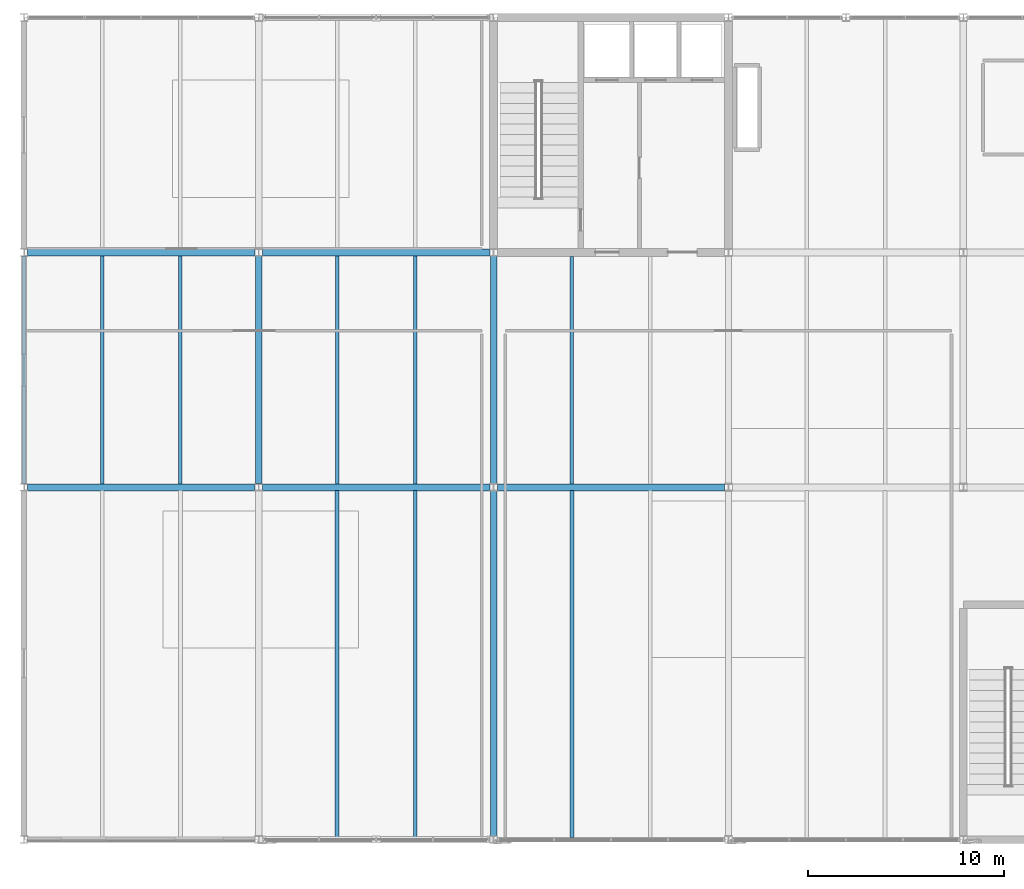
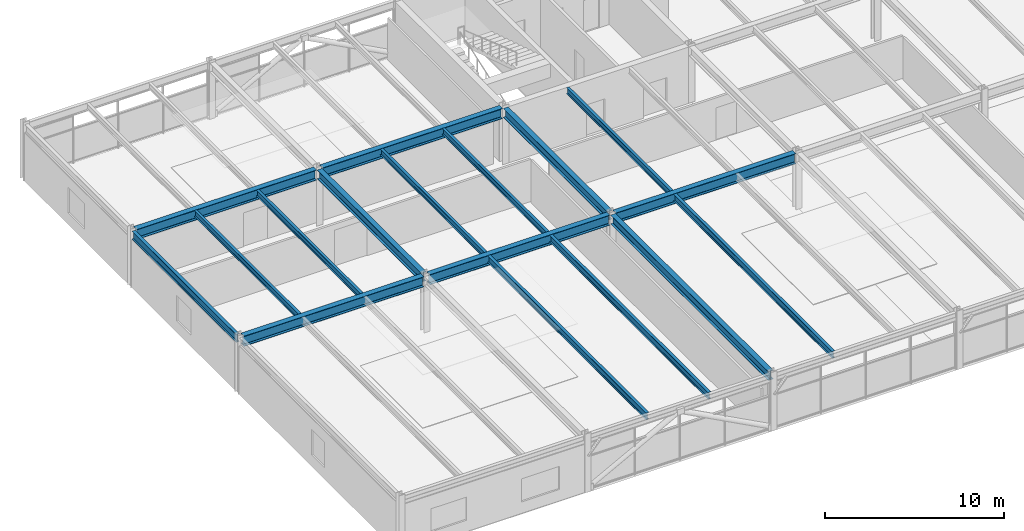
# One storey, part 12 of 49: 17 beams.
"""IFC4 building model written with IfcOpenShell, lengths in metres."""

from ifc_helpers import new_model, si_unit, direction, frame, origin, origin_2d, place, context, subcontext, project, spatial, i_section, extrude, material, material_profile, profile_set, type_object, element, save


model = new_model("IFC4")

# Units and contexts
model_context = context("Model", 3, precision=1e-05, world=origin(), true_north=direction((0.0, 1.0)))
body_context = subcontext(model_context, "Body", "Model", "MODEL_VIEW")
ifc_project = project(units=[si_unit("LENGTHUNIT", "METRE"), si_unit("AREAUNIT", "SQUARE_METRE"), si_unit("VOLUMEUNIT", "CUBIC_METRE"), si_unit("PLANEANGLEUNIT", "RADIAN"), si_unit("MASSUNIT", "GRAM", prefix="KILO")], contexts=[model_context])

# Site, building, storey
site_placement = place(None, origin())
site = spatial("IfcSite", under=ifc_project, at=site_placement, CompositionType="ELEMENT")
building_placement = place(site_placement, origin())
building = spatial("IfcBuilding", under=site, at=building_placement, Name="Girod Span Mobility Hub", CompositionType="ELEMENT")
storey_placement = place(building_placement, frame((0.0, 0.0, 37.60009765625)))
storey = spatial("IfcBuildingStorey", under=building, at=storey_placement, Name="L09", CompositionType="ELEMENT", Elevation=37.60009765625)

# Beams
ifc_material_1 = material(Name="Steel A992 Grade 50", Category="steel")
ifc_material_profile_1 = material_profile(ifc_material_1, i_section(OverallWidth=0.178955078125, OverallDepth=0.409912109375, WebThickness=0.0087890625, FlangeThickness=0.014404296875, FilletRadius=0.012939453125, at=origin_2d()), Name="W16X45")
ifc_profile_set_1 = profile_set([ifc_material_profile_1], Name="Steel A992 Grade 50")
beam_type_1 = type_object("IfcBeamType", Name="BM-STL-W16X45", PredefinedType="BEAM", material=ifc_profile_set_1)
for number, where, z_axis, x_axis, name in (
    (1, (28.0, 45.174560546875, 3.6298828125), (0.0, 1.0, 0.0), (-1.0, 0.0, 0.0), "Composite Floorbeam 3/D-1 L09"),
    (2, (32.0, 45.174560546875, 3.6298828125), (0.0, 1.0, 0.0), (-1.0, 0.0, 0.0), "Composite Floorbeam 3/D-2 L09"),
    (3, (40.0, 45.174560546875, 3.6298828125), (0.0, 1.0, 0.0), (-1.0, 0.0, 0.0), "Composite Floorbeam 4/D-1 L09"),
    (4, (44.0, 45.174560546875, 3.6298828125), (0.0, 1.0, 0.0), (-1.0, 0.0, 0.0), "Composite Floorbeam 4/D-2 L09"),
):
    element("IfcBeam", number, at=place(storey_placement, frame(where, z_axis=z_axis, x_axis=x_axis)), inside=storey, type_object=beam_type_1, Name=name, PredefinedType="BEAM", context=body_context, shape_type="SweptSolid", body=[
        extrude(i_section(OverallWidth=0.178955078125, OverallDepth=0.409912109375, WebThickness=0.0087890625, FlangeThickness=0.014404296875, FilletRadius=0.012939453125, at=origin_2d()), origin(), (0.0, 0.0, 1.0), 11.65087890625),
    ])
beam_1_placement = place(storey_placement, frame((52.0, 45.174560546875, 3.6298828125), z_axis=(0.0, 1.0, 0.0), x_axis=(-1.0, 0.0, 0.0)))
element("IfcBeam", 5, at=beam_1_placement, inside=storey, type_object=beam_type_1, Name="Composite Floorbeam 5/D-1 L09", PredefinedType="BEAM", context=body_context, shape_type="SweptSolid", body=[
    extrude(i_section(OverallWidth=0.178955078125, OverallDepth=0.409912109375, WebThickness=0.0087890625, FlangeThickness=0.014404296875, FilletRadius=0.012939453125, at=origin_2d()), origin(), (0.0, 0.0, 1.0), 11.62841796875),
])
ifc_material_2 = material(Name="Steel A992 Grade 50", Category="steel")
ifc_material_profile_2 = material_profile(ifc_material_2, i_section(OverallWidth=0.19189453125, OverallDepth=0.462890625, WebThickness=0.010498046875, FlangeThickness=0.017578125, FilletRadius=0.013916015625, at=origin_2d()), Name="W18X60")
ifc_profile_set_2 = profile_set([ifc_material_profile_2], Name="Steel A992 Grade 50")
beam_type_2 = type_object("IfcBeamType", Name="BM-STL-W18X60", PredefinedType="BEAM", material=ifc_profile_set_2)
for number, where, z_axis, x_axis, name in (
    (6, (40.0, 27.10302734375, 3.603515625), (0.0, 1.0, 0.0), (-1.0, 0.0, 0.0), "Composite Floorbeam 4/C-1 L09"),
    (7, (44.0, 27.10302734375, 3.603515625), (0.0, 1.0, 0.0), (-1.0, 0.0, 0.0), "Composite Floorbeam 4/C-2 L09"),
    (8, (52.0, 27.10302734375, 3.603515625), (0.0, 1.0, 0.0), (-1.0, 0.0, 0.0), "Composite Floorbeam 5/C-1 L09"),
):
    element("IfcBeam", number, at=place(storey_placement, frame(where, z_axis=z_axis, x_axis=x_axis)), inside=storey, type_object=beam_type_2, Name=name, PredefinedType="BEAM", context=body_context, shape_type="SweptSolid", body=[
        extrude(i_section(OverallWidth=0.19189453125, OverallDepth=0.462890625, WebThickness=0.010498046875, FlangeThickness=0.017578125, FilletRadius=0.013916015625, at=origin_2d()), origin(), (0.0, 0.0, 1.0), 17.722412109375),
    ])
ifc_material_3 = material(Name="Steel A992 Grade 50", Category="steel")
ifc_material_profile_3 = material_profile(ifc_material_3, i_section(OverallWidth=0.2119140625, OverallDepth=0.5439453125, WebThickness=0.01318359375, FlangeThickness=0.021240234375, FilletRadius=0.014892578125, at=origin_2d()), Name="W21X83")
ifc_profile_set_3 = profile_set([ifc_material_profile_3], Name="Steel A992 Grade 50")
beam_type_3 = type_object("IfcBeamType", Name="BM-STL-W21X83", PredefinedType="SPANDREL", material=ifc_profile_set_3)
beam_2_placement = place(storey_placement, frame((24.0, 45.1845703125, 3.56298828125), z_axis=(0.0, 1.0, 0.0), x_axis=(-1.0, 0.0, 0.0)))
element("IfcBeam", 9, at=beam_2_placement, inside=storey, type_object=beam_type_3, Name="Tie Girder 3/D-E L09", PredefinedType="SPANDREL", context=body_context, shape_type="SweptSolid", body=[
    extrude(i_section(OverallWidth=0.2119140625, OverallDepth=0.5439453125, WebThickness=0.01318359375, FlangeThickness=0.021240234375, FilletRadius=0.014892578125, at=origin_2d()), origin(), (0.0, 0.0, 1.0), 11.630859375),
])
ifc_material_4 = material(Name="Steel A992 Grade 50", Category="steel")
ifc_material_profile_4 = material_profile(ifc_material_4, i_section(OverallWidth=0.323974609375, OverallDepth=0.611083984375, WebThickness=0.0126953125, FlangeThickness=0.01904296875, FilletRadius=0.014892578125, at=origin_2d()), Name="W24X104")
ifc_profile_set_4 = profile_set([ifc_material_profile_4], Name="Steel A992 Grade 50")
beam_type_4 = type_object("IfcBeamType", Name="BM-STL-W24X104", PredefinedType="BEAM", material=ifc_profile_set_4)
beam_3_placement = place(storey_placement, frame((36.0, 45.1845703125, 3.529296875), z_axis=(0.0, 1.0, 0.0), x_axis=(-1.0, 0.0, 0.0)))
element("IfcBeam", 10, at=beam_3_placement, inside=storey, type_object=beam_type_4, Name="Tie Girder 4/D-E L09", PredefinedType="BEAM", context=body_context, shape_type="SweptSolid", body=[
    extrude(i_section(OverallWidth=0.323974609375, OverallDepth=0.611083984375, WebThickness=0.0126953125, FlangeThickness=0.01904296875, FilletRadius=0.014892578125, at=origin_2d()), origin(), (0.0, 0.0, 1.0), 11.630859375),
])
beam_4_placement = place(storey_placement, frame((48.0, 27.1845703125, 3.529296875), z_axis=(0.0, 1.0, 0.0), x_axis=(-1.0, 0.0, 0.0)))
element("IfcBeam", 11, at=beam_4_placement, inside=storey, type_object=beam_type_4, Name="Tie Girder 5/C-D L09", PredefinedType="BEAM", context=body_context, shape_type="SweptSolid", body=[
    extrude(i_section(OverallWidth=0.323974609375, OverallDepth=0.611083984375, WebThickness=0.0126953125, FlangeThickness=0.01904296875, FilletRadius=0.014892578125, at=origin_2d()), origin(), (0.0, 0.0, 1.0), 17.621826171875),
])
beam_5_placement = place(storey_placement, frame((48.0, 45.193603515625, 3.529296875), z_axis=(0.0, 1.0, 0.0), x_axis=(-1.0, 0.0, 0.0)))
element("IfcBeam", 12, at=beam_5_placement, inside=storey, type_object=beam_type_4, Name="Tie Girder 5/D-E L09", PredefinedType="BEAM", context=body_context, shape_type="SweptSolid", body=[
    extrude(i_section(OverallWidth=0.323974609375, OverallDepth=0.611083984375, WebThickness=0.0126953125, FlangeThickness=0.01904296875, FilletRadius=0.014892578125, at=origin_2d()), origin(), (0.0, 0.0, 1.0), 11.61279296875),
])
ifc_material_5 = material(Name="Steel A992 Grade 50", Category="steel")
ifc_material_profile_5 = material_profile(ifc_material_5, i_section(OverallWidth=0.35498046875, OverallDepth=0.695068359375, WebThickness=0.015380859375, FlangeThickness=0.02490234375, FilletRadius=0.01806640625, at=origin_2d()), Name="W27X146")
ifc_profile_set_5 = profile_set([ifc_material_profile_5], Name="Steel A992 Grade 50")
beam_type_5 = type_object("IfcBeamType", Name="BM-STL-W27X146", PredefinedType="BEAM", material=ifc_profile_set_5)
beam_6_placement = place(storey_placement, frame((24.194091796875, 45.0, 3.4873046875), z_axis=(1.0, 0.0, 0.0), x_axis=(0.0, 1.0, 0.0)))
element("IfcBeam", 13, at=beam_6_placement, inside=storey, type_object=beam_type_5, Name="Girder 3-4/D L09", PredefinedType="BEAM", context=body_context, shape_type="SweptSolid", body=[
    extrude(i_section(OverallWidth=0.35498046875, OverallDepth=0.695068359375, WebThickness=0.015380859375, FlangeThickness=0.02490234375, FilletRadius=0.01806640625, at=origin_2d()), origin(), (0.0, 0.0, 1.0), 11.61181640625),
])
beam_7_placement = place(storey_placement, frame((36.194091796875, 45.0, 3.4873046875), z_axis=(1.0, 0.0, 0.0), x_axis=(0.0, 1.0, 0.0)))
element("IfcBeam", 14, at=beam_7_placement, inside=storey, type_object=beam_type_5, Name="Girder 4-5/D L09", PredefinedType="BEAM", context=body_context, shape_type="SweptSolid", body=[
    extrude(i_section(OverallWidth=0.35498046875, OverallDepth=0.695068359375, WebThickness=0.015380859375, FlangeThickness=0.02490234375, FilletRadius=0.01806640625, at=origin_2d()), origin(), (0.0, 0.0, 1.0), 11.609375),
])
beam_8_placement = place(storey_placement, frame((48.196533203125, 45.0, 3.4873046875), z_axis=(1.0, 0.0, 0.0), x_axis=(0.0, 1.0, 0.0)))
element("IfcBeam", 15, at=beam_8_placement, inside=storey, type_object=beam_type_5, Name="Girder 5-6/D L09", PredefinedType="BEAM", context=body_context, shape_type="SweptSolid", body=[
    extrude(i_section(OverallWidth=0.35498046875, OverallDepth=0.695068359375, WebThickness=0.015380859375, FlangeThickness=0.02490234375, FilletRadius=0.01806640625, at=origin_2d()), origin(), (0.0, 0.0, 1.0), 11.60693359375),
])
beam_9_placement = place(storey_placement, frame((24.194091796875, 57.0, 3.4873046875), z_axis=(1.0, 0.0, 0.0), x_axis=(0.0, 1.0, 0.0)))
element("IfcBeam", 16, at=beam_9_placement, inside=storey, type_object=beam_type_5, Name="Girder 3-4/E L09", PredefinedType="BEAM", context=body_context, shape_type="SweptSolid", body=[
    extrude(i_section(OverallWidth=0.35498046875, OverallDepth=0.695068359375, WebThickness=0.015380859375, FlangeThickness=0.02490234375, FilletRadius=0.01806640625, at=origin_2d()), origin(), (0.0, 0.0, 1.0), 11.61181640625),
])
beam_10_placement = place(storey_placement, frame((36.194091796875, 57.0, 3.4873046875), z_axis=(1.0, 0.0, 0.0), x_axis=(0.0, 1.0, 0.0)))
element("IfcBeam", 17, at=beam_10_placement, inside=storey, type_object=beam_type_5, Name="Girder 4-5/E L09", PredefinedType="BEAM", context=body_context, shape_type="SweptSolid", body=[
    extrude(i_section(OverallWidth=0.35498046875, OverallDepth=0.695068359375, WebThickness=0.015380859375, FlangeThickness=0.02490234375, FilletRadius=0.01806640625, at=origin_2d()), origin(), (0.0, 0.0, 1.0), 11.609375),
])

save(model, "model.ifc")
